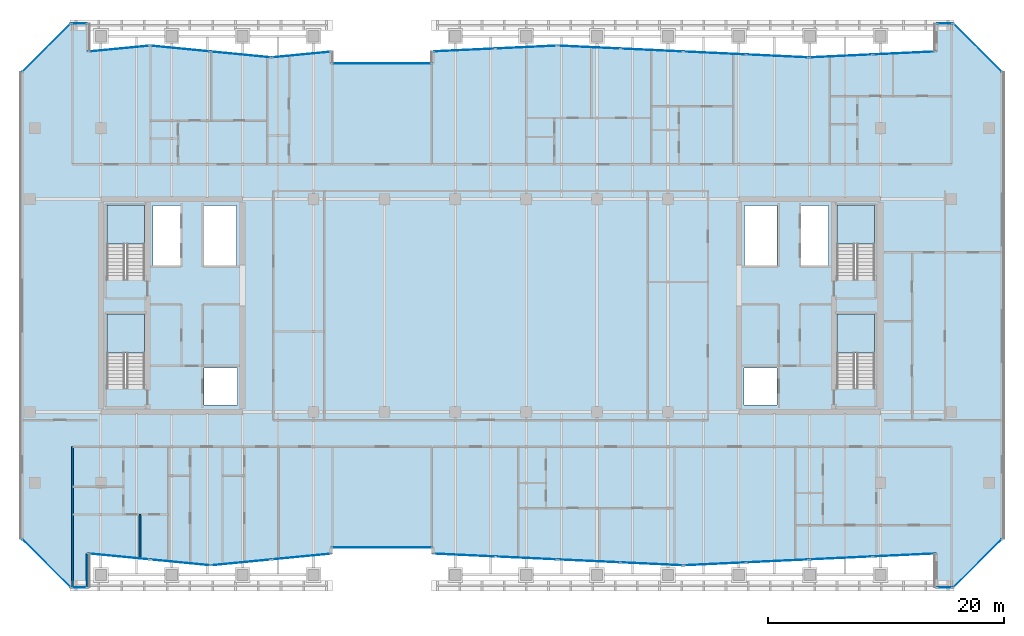
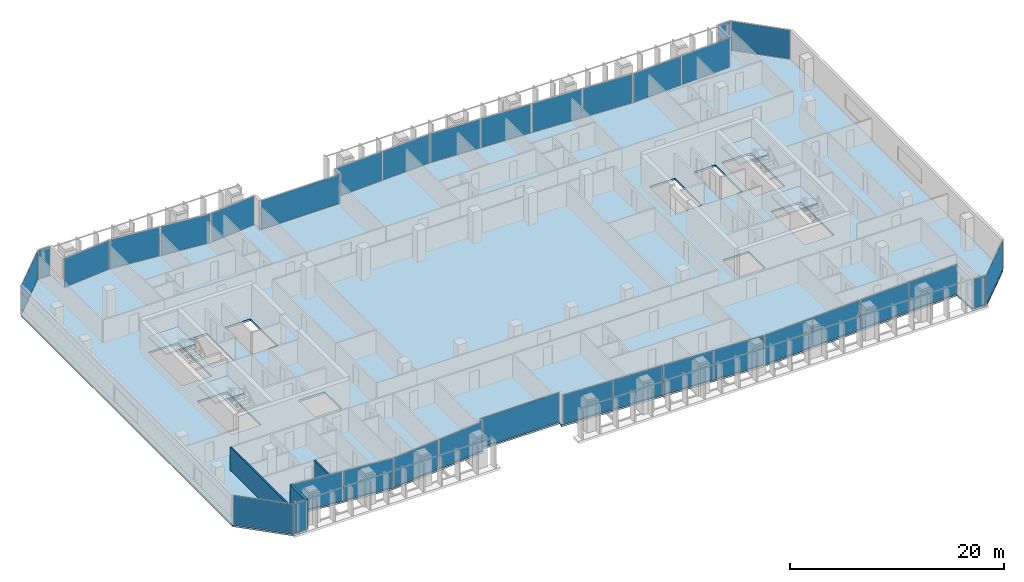
# One storey, part 26 of 39: 34 plates, 5 slabs, 3 walls, 30 elements without a shape of their own.
"""IFC4 building model written with IfcOpenShell, lengths in metres."""

from ifc_helpers import new_model, si_unit, direction, frame, frame_2d, origin, origin_2d, place, context, subcontext, project, spatial, polyline, rectangle, outline, extrude, material, layer, layer_set, type_object, element, aggregate, save


model = new_model("IFC4")

# Units and contexts
model_context = context("Model", 3, precision=1e-05, world=origin(), true_north=direction((0.0, 1.0)))
body_context = subcontext(model_context, "Body", "Model", "MODEL_VIEW")
ifc_project = project(units=[si_unit("LENGTHUNIT", "METRE"), si_unit("AREAUNIT", "SQUARE_METRE"), si_unit("VOLUMEUNIT", "CUBIC_METRE"), si_unit("PLANEANGLEUNIT", "RADIAN"), si_unit("MASSUNIT", "GRAM", prefix="KILO")], contexts=[model_context])

# Site, building, storey
site_placement = place(None, origin())
site = spatial("IfcSite", under=ifc_project, at=site_placement, CompositionType="ELEMENT")
building_placement = place(site_placement, origin())
building = spatial("IfcBuilding", under=site, at=building_placement, Name="Tanjung Sevakor Pilgrim Tower", CompositionType="ELEMENT")
storey_placement = place(building_placement, frame((0.0, 0.0, 112.199951171875)))
storey = spatial("IfcBuildingStorey", under=building, at=storey_placement, Name="L31", CompositionType="ELEMENT", Elevation=112.199951171875)

# Stair, slab
ifc_material_1 = material(Name="Concrete C40/50", Category="concrete")
stair_type = type_object("IfcStairType", Name="STAIR-ST-CR150", PredefinedType="HALF_TURN_STAIR", material=ifc_material_1)
stair_1_placement = place(storey_placement, origin())
stair_1 = element("IfcStair", 1, at=stair_1_placement, inside=storey, type_object=stair_type, Name="L31 West Core Exit Stair 1", PredefinedType="HALF_TURN_STAIR")
ifc_material_2 = material(Name="Concrete C40/50", Category="concrete")
ifc_layer_1 = layer(ifc_material_2, 0.199951171875)
ifc_layer_set_1 = layer_set([ifc_layer_1], Name="SL-LAND-200")
slab_type_1 = type_object("IfcSlabType", Name="SL-LAND-200", PredefinedType="LANDING", material=ifc_layer_set_1)
slab_1_placement = place(storey_placement, frame((0.0, 0.0, 1.614990234375)))
slab_1 = element("IfcSlab", 2, at=slab_1_placement, type_object=slab_type_1, Name="TS-W1 landing 1", PredefinedType="LANDING", context=body_context, shape_type="SweptSolid", body=[
    extrude(outline(polyline([(27.699951171875, 29.60009765625), (27.699951171875, 32.89990234375), (24.5, 32.89990234375), (24.5, 29.60009765625), (27.699951171875, 29.60009765625)])), origin(), (0.0, 0.0, 1.0), 0.199951171875),
])
aggregate(stair_1, [slab_1])

stair_2_placement = place(storey_placement, origin())
stair_2 = element("IfcStair", 3, at=stair_2_placement, inside=storey, type_object=stair_type, Name="L31 West Core Exit Stair 2", PredefinedType="HALF_TURN_STAIR")
slab_2_placement = place(storey_placement, frame((0.0, 0.0, 1.614990234375)))
slab_2 = element("IfcSlab", 4, at=slab_2_placement, type_object=slab_type_1, Name="TS-W2 landing 1", PredefinedType="LANDING", context=body_context, shape_type="SweptSolid", body=[
    extrude(outline(polyline([(27.699951171875, 38.800048828125), (27.699951171875, 42.10009765625), (24.5, 42.10009765625), (24.5, 38.800048828125), (27.699951171875, 38.800048828125)])), origin(), (0.0, 0.0, 1.0), 0.199951171875),
])
aggregate(stair_2, [slab_2])

stair_3_placement = place(storey_placement, origin())
stair_3 = element("IfcStair", 5, at=stair_3_placement, inside=storey, type_object=stair_type, Name="L31 East Core Exit Stair 1", PredefinedType="HALF_TURN_STAIR")
slab_3_placement = place(storey_placement, frame((0.0, 0.0, 1.614990234375)))
slab_3 = element("IfcSlab", 6, at=slab_3_placement, type_object=slab_type_1, Name="TS-E1 landing 1", PredefinedType="LANDING", context=body_context, shape_type="SweptSolid", body=[
    extrude(outline(polyline([(89.5, 29.60009765625), (89.5, 32.89990234375), (86.300048828125, 32.89990234375), (86.300048828125, 29.60009765625), (89.5, 29.60009765625)])), origin(), (0.0, 0.0, 1.0), 0.199951171875),
])
aggregate(stair_3, [slab_3])

stair_4_placement = place(storey_placement, origin())
stair_4 = element("IfcStair", 7, at=stair_4_placement, inside=storey, type_object=stair_type, Name="L31 East Core Exit Stair 2", PredefinedType="HALF_TURN_STAIR")
slab_4_placement = place(storey_placement, frame((0.0, 0.0, 1.614990234375)))
slab_4 = element("IfcSlab", 8, at=slab_4_placement, type_object=slab_type_1, Name="TS-E2 landing 1", PredefinedType="LANDING", context=body_context, shape_type="SweptSolid", body=[
    extrude(outline(polyline([(89.5, 38.800048828125), (89.5, 42.10009765625), (86.300048828125, 42.10009765625), (86.300048828125, 38.800048828125), (89.5, 38.800048828125)])), origin(), (0.0, 0.0, 1.0), 0.199951171875),
])
aggregate(stair_4, [slab_4])

# Slab
ifc_material_3 = material(Name="Concrete C40/50", Category="concrete")
ifc_layer_2 = layer(ifc_material_3, 0.219970703125)
ifc_layer_set_2 = layer_set([ifc_layer_2], Name="SL-TWR-220")
slab_type_2 = type_object("IfcSlabType", Name="SL-TWR-220", PredefinedType="FLOOR", material=ifc_layer_set_2)
slab_5_placement = place(storey_placement, frame((0.0, 0.0, -0.219970703125)))
element("IfcSlab", 9, at=slab_5_placement, inside=storey, type_object=slab_type_2, Name="L31 Floor Slab MAIN", PredefinedType="FLOOR", context=body_context, shape_type="SweptSolid", body=[
    extrude(outline(polyline([(21.447021484375, 9.679931640625), (22.919921875, 9.679931640625), (23.0, 12.56005859375), (28.14990234375, 12.06005859375), (33.300048828125, 11.56005859375), (38.449951171875, 12.06005859375), (43.60009765625, 12.56005859375), (43.52001953125, 13.080078125), (52.080078125, 13.080078125), (52.0, 12.56005859375), (62.64990234375, 12.06005859375), (73.300048828125, 11.56005859375), (83.949951171875, 12.06005859375), (94.60009765625, 12.56005859375), (94.679931640625, 9.679931640625), (96.153076171875, 9.679931640625), (100.320068359375, 13.846923828125), (100.320068359375, 53.35302734375), (96.153076171875, 57.52001953125), (94.679931640625, 57.52001953125), (94.60009765625, 55.139892578125), (83.949951171875, 54.639892578125), (73.300048828125, 55.139892578125), (62.64990234375, 55.639892578125), (52.0, 55.139892578125), (52.080078125, 54.1201171875), (43.52001953125, 54.1201171875), (43.60009765625, 55.139892578125), (38.449951171875, 54.639892578125), (33.300048828125, 55.139892578125), (28.14990234375, 55.639892578125), (23.0, 55.139892578125), (22.919921875, 57.52001953125), (21.447021484375, 57.52001953125), (17.280029296875, 53.35302734375), (17.280029296875, 13.846923828125), (21.447021484375, 9.679931640625)]), holes=[polyline([(27.699951171875, 26.60009765625), (27.699951171875, 32.89990234375), (24.5, 32.89990234375), (24.5, 26.60009765625), (27.699951171875, 26.60009765625)]), polyline([(27.699951171875, 35.800048828125), (27.699951171875, 42.10009765625), (24.5, 42.10009765625), (24.5, 35.800048828125), (27.699951171875, 35.800048828125)]), polyline([(89.5, 26.60009765625), (89.5, 32.89990234375), (86.300048828125, 32.89990234375), (86.300048828125, 26.60009765625), (89.5, 26.60009765625)]), polyline([(89.5, 35.800048828125), (89.5, 42.10009765625), (86.300048828125, 42.10009765625), (86.300048828125, 35.800048828125), (89.5, 35.800048828125)]), polyline([(32.75, 25.199951171875), (35.550048828125, 25.199951171875), (35.550048828125, 28.300048828125), (32.75, 28.300048828125), (32.75, 25.199951171875)]), polyline([(28.39990234375, 37.0), (30.75, 37.0), (30.75, 42.050048828125), (28.39990234375, 42.050048828125), (28.39990234375, 37.0)]), polyline([(32.75, 37.0), (35.5, 37.0), (35.5, 42.050048828125), (32.75, 42.050048828125), (32.75, 37.0)]), polyline([(78.449951171875, 25.199951171875), (81.25, 25.199951171875), (81.25, 28.300048828125), (78.449951171875, 28.300048828125), (78.449951171875, 25.199951171875)]), polyline([(83.25, 37.0), (85.60009765625, 37.0), (85.60009765625, 42.050048828125), (83.25, 42.050048828125), (83.25, 37.0)]), polyline([(78.5, 37.0), (81.25, 37.0), (81.25, 42.050048828125), (78.5, 42.050048828125), (78.5, 37.0)])]), origin(), (0.0, 0.0, 1.0), 0.219970703125),
])

# Curtain wall, plate
ifc_material_4 = material(Name="Aluminium 6063-T6 and Low-E Glass", Category="aluminium")
ifc_layer_3 = layer(ifc_material_4, 0.179931640625)
ifc_layer_set_3 = layer_set([ifc_layer_3], Name="CW-SYS-CLEFT")
curtain_wall_type_1 = type_object("IfcCurtainWallType", Name="CW-SYS-CLEFT", PredefinedType="NOTDEFINED", material=ifc_layer_set_3)
curtain_wall_1_placement = place(storey_placement, origin())
curtain_wall_1 = element("IfcCurtainWall", 10, at=curtain_wall_1_placement, inside=storey, type_object=curtain_wall_type_1, Name="L31 Curtain Wall CW-CLF-L31-7", PredefinedType="NOTDEFINED")
ifc_material_5 = material(Name="Laminated Low-E Double Glazing", Category="glass")
ifc_layer_4 = layer(ifc_material_5, 0.028076171875)
ifc_layer_set_4 = layer_set([ifc_layer_4], Name="TYPE-CWP-GLZ1")
plate_type_1 = type_object("IfcPlateType", Name="TYPE-CWP-GLZ1", PredefinedType="CURTAIN_PANEL", material=ifc_layer_set_4)
plate_1_placement = place(storey_placement, frame((47.800048828125, 13.125, 0.06494140625), z_axis=(0.0, 0.0, 1.0), x_axis=(1.0, 0.0, 0.0)))
plate_1 = element("IfcPlate", 11, at=plate_1_placement, type_object=plate_type_1, Name="CW-CLF panel 1.1", PredefinedType="CURTAIN_PANEL", context=body_context, shape_type="SweptSolid", body=[
    extrude(rectangle(XDim=8.5, YDim=0.028076171875, at=origin_2d()), origin(), (0.0, 0.0, 1.0), 3.280029296875),
])
aggregate(curtain_wall_1, [plate_1])

ifc_material_6 = material(Name="Aluminium 6063-T6 and Low-E Glass", Category="aluminium")
ifc_layer_5 = layer(ifc_material_6, 0.179931640625)
ifc_layer_set_5 = layer_set([ifc_layer_5], Name="CW-SYS-CHAM")
curtain_wall_type_2 = type_object("IfcCurtainWallType", Name="CW-SYS-CHAM", PredefinedType="NOTDEFINED", material=ifc_layer_set_5)
curtain_wall_2_placement = place(storey_placement, origin())
curtain_wall_2 = element("IfcCurtainWall", 12, at=curtain_wall_2_placement, inside=storey, type_object=curtain_wall_type_2, Name="L31 Curtain Wall CW-CHM-L31-MAIN-15", PredefinedType="NOTDEFINED")
plate_2_placement = place(storey_placement, frame((98.211669921875, 11.788330078125, 0.06494140625), z_axis=(0.0, 0.0, 1.0), x_axis=(0.707106781187, 0.707106781187, 0.0)))
plate_2 = element("IfcPlate", 13, at=plate_2_placement, type_object=plate_type_1, Name="CW-CHM panel 1.1", PredefinedType="CURTAIN_PANEL", context=body_context, shape_type="SweptSolid", body=[
    extrude(rectangle(XDim=5.7060546875, YDim=0.028076171875, at=origin_2d()), origin(), (0.0, 0.0, 1.0), 3.280029296875),
])
aggregate(curtain_wall_2, [plate_2])

curtain_wall_3_placement = place(storey_placement, origin())
curtain_wall_3 = element("IfcCurtainWall", 14, at=curtain_wall_3_placement, inside=storey, type_object=curtain_wall_type_2, Name="L31 Curtain Wall CW-CHM-L31-MAIN-17", PredefinedType="NOTDEFINED")
plate_3_placement = place(storey_placement, frame((98.211669921875, 55.41162109375, 0.06494140625), z_axis=(0.0, 0.0, 1.0), x_axis=(-0.707106781187, 0.707106781187, 0.0)))
plate_3 = element("IfcPlate", 15, at=plate_3_placement, type_object=plate_type_1, Name="CW-CHM panel 1.1", PredefinedType="CURTAIN_PANEL", context=body_context, shape_type="SweptSolid", body=[
    extrude(rectangle(XDim=5.7060546875, YDim=0.028076171875, at=origin_2d()), origin(), (0.0, 0.0, 1.0), 3.280029296875),
])
aggregate(curtain_wall_3, [plate_3])

curtain_wall_4_placement = place(storey_placement, origin())
curtain_wall_4 = element("IfcCurtainWall", 16, at=curtain_wall_4_placement, inside=storey, type_object=curtain_wall_type_1, Name="L31 Curtain Wall CW-CLF-L31-25", PredefinedType="NOTDEFINED")
plate_4_placement = place(storey_placement, frame((47.800048828125, 54.074951171875, 0.06494140625), z_axis=(0.0, 0.0, 1.0), x_axis=(-1.0, 0.0, 0.0)))
plate_4 = element("IfcPlate", 17, at=plate_4_placement, type_object=plate_type_1, Name="CW-CLF panel 1.1", PredefinedType="CURTAIN_PANEL", context=body_context, shape_type="SweptSolid", body=[
    extrude(rectangle(XDim=8.5, YDim=0.028076171875, at=origin_2d()), origin(), (0.0, 0.0, 1.0), 3.280029296875),
])
aggregate(curtain_wall_4, [plate_4])

curtain_wall_5_placement = place(storey_placement, origin())
curtain_wall_5 = element("IfcCurtainWall", 18, at=curtain_wall_5_placement, inside=storey, type_object=curtain_wall_type_2, Name="L31 Curtain Wall CW-CHM-L31-MAIN-33", PredefinedType="NOTDEFINED")
plate_5_placement = place(storey_placement, frame((19.388427734375, 55.41162109375, 0.06494140625), z_axis=(0.0, 0.0, 1.0), x_axis=(-0.707106781187, -0.707106781187, 0.0)))
plate_5 = element("IfcPlate", 19, at=plate_5_placement, type_object=plate_type_1, Name="CW-CHM panel 1.1", PredefinedType="CURTAIN_PANEL", context=body_context, shape_type="SweptSolid", body=[
    extrude(rectangle(XDim=5.7060546875, YDim=0.028076171875, at=origin_2d()), origin(), (0.0, 0.0, 1.0), 3.280029296875),
])
aggregate(curtain_wall_5, [plate_5])

curtain_wall_6_placement = place(storey_placement, origin())
curtain_wall_6 = element("IfcCurtainWall", 20, at=curtain_wall_6_placement, inside=storey, type_object=curtain_wall_type_2, Name="L31 Curtain Wall CW-CHM-L31-MAIN-35", PredefinedType="NOTDEFINED")
plate_6_placement = place(storey_placement, frame((19.388427734375, 11.788330078125, 0.06494140625), z_axis=(0.0, 0.0, 1.0), x_axis=(0.707106781187, -0.707106781187, 0.0)))
plate_6 = element("IfcPlate", 21, at=plate_6_placement, type_object=plate_type_1, Name="CW-CHM panel 1.1", PredefinedType="CURTAIN_PANEL", context=body_context, shape_type="SweptSolid", body=[
    extrude(rectangle(XDim=5.7060546875, YDim=0.028076171875, at=origin_2d()), origin(), (0.0, 0.0, 1.0), 3.280029296875),
])
aggregate(curtain_wall_6, [plate_6])

ifc_material_7 = material(Name="Aluminium 6063-T6 and Low-E Glass", Category="aluminium")
ifc_layer_6 = layer(ifc_material_7, 0.199951171875)
ifc_layer_set_6 = layer_set([ifc_layer_6], Name="CW-SYS-PRAY")
curtain_wall_type_3 = type_object("IfcCurtainWallType", Name="CW-SYS-PRAY", PredefinedType="NOTDEFINED", material=ifc_layer_set_6)
curtain_wall_7_placement = place(storey_placement, origin())
curtain_wall_7 = element("IfcCurtainWall", 22, at=curtain_wall_7_placement, inside=storey, type_object=curtain_wall_type_3, Name="L31 Curtain Wall CW-PRY-L31-0", PredefinedType="NOTDEFINED")
ifc_material_8 = material(Name="Solar-Control Low-E Acoustic Glazing", Category="glass")
ifc_layer_7 = layer(ifc_material_8, 0.031982421875)
ifc_layer_set_7 = layer_set([ifc_layer_7], Name="TYPE-CWP-GLZ2")
plate_type_2 = type_object("IfcPlateType", Name="TYPE-CWP-GLZ2", PredefinedType="CURTAIN_PANEL", material=ifc_layer_set_7)
plate_7_placement = place(storey_placement, frame((22.163330078125, 9.72509765625, 0.0751953125), z_axis=(0.0, 0.0, 1.0), x_axis=(1.0, 0.0, 0.0)))
plate_7 = element("IfcPlate", 23, at=plate_7_placement, type_object=plate_type_2, Name="CW-PRY panel 1.1", PredefinedType="CURTAIN_PANEL", context=body_context, shape_type="SweptSolid", body=[
    extrude(rectangle(XDim=1.273193359375, YDim=0.031982421875, at=origin_2d()), origin(), (0.0, 0.0, 1.0), 3.260009765625),
])
aggregate(curtain_wall_7, [plate_7])

curtain_wall_8_placement = place(storey_placement, origin())
curtain_wall_8 = element("IfcCurtainWall", 24, at=curtain_wall_8_placement, inside=storey, type_object=curtain_wall_type_3, Name="L31 Curtain Wall CW-PRY-L31-2", PredefinedType="NOTDEFINED")
plate_8_placement = place(storey_placement, frame((25.5185546875, 12.361083984375, 0.0751953125), z_axis=(0.0, 0.0, 1.0), x_axis=(0.995320272513, -0.096631025687, 0.0)))
plate_8 = element("IfcPlate", 25, at=plate_8_placement, type_object=plate_type_2, Name="CW-PRY panel 1.1", PredefinedType="CURTAIN_PANEL", context=body_context, shape_type="SweptSolid", body=[
    extrude(rectangle(XDim=5.161865234375, YDim=0.031982421875, at=origin_2d()), origin(), (0.0, 0.0, 1.0), 3.260009765625),
])
aggregate(curtain_wall_8, [plate_8])

curtain_wall_9_placement = place(storey_placement, origin())
curtain_wall_9 = element("IfcCurtainWall", 26, at=curtain_wall_9_placement, inside=storey, type_object=curtain_wall_type_3, Name="L31 Curtain Wall CW-PRY-L31-3", PredefinedType="NOTDEFINED")
plate_9_placement = place(storey_placement, frame((30.73095703125, 11.85498046875, 0.0751953125), z_axis=(0.0, 0.0, 1.0), x_axis=(0.995320549462, -0.096628173007, 0.0)))
plate_9 = element("IfcPlate", 27, at=plate_9_placement, type_object=plate_type_2, Name="CW-PRY panel 1.1", PredefinedType="CURTAIN_PANEL", context=body_context, shape_type="SweptSolid", body=[
    extrude(rectangle(XDim=5.011962890625, YDim=0.031982421875, at=origin_2d()), origin(), (0.0, 0.0, 1.0), 3.260009765625),
])
aggregate(curtain_wall_9, [plate_9])

curtain_wall_10_placement = place(storey_placement, origin())
curtain_wall_10 = element("IfcCurtainWall", 28, at=curtain_wall_10_placement, inside=storey, type_object=curtain_wall_type_3, Name="L31 Curtain Wall CW-PRY-L31-4", PredefinedType="NOTDEFINED")
plate_10_placement = place(storey_placement, frame((35.868896484375, 11.85498046875, 0.0751953125), z_axis=(0.0, 0.0, 1.0), x_axis=(0.995320549462, 0.096628173007, 0.0)))
plate_10 = element("IfcPlate", 29, at=plate_10_placement, type_object=plate_type_2, Name="CW-PRY panel 1.1", PredefinedType="CURTAIN_PANEL", context=body_context, shape_type="SweptSolid", body=[
    extrude(rectangle(XDim=5.011962890625, YDim=0.031982421875, at=origin_2d()), origin(), (0.0, 0.0, 1.0), 3.260009765625),
])
aggregate(curtain_wall_10, [plate_10])

curtain_wall_11_placement = place(storey_placement, origin())
curtain_wall_11 = element("IfcCurtainWall", 30, at=curtain_wall_11_placement, inside=storey, type_object=curtain_wall_type_3, Name="L31 Curtain Wall CW-PRY-L31-5", PredefinedType="NOTDEFINED")
plate_11_placement = place(storey_placement, frame((40.95654296875, 12.348876953125, 0.0751953125), z_axis=(0.0, 0.0, 1.0), x_axis=(0.995318916625, 0.096644990598, 0.0)))
plate_11 = element("IfcPlate", 31, at=plate_11_placement, type_object=plate_type_2, Name="CW-PRY panel 1.1", PredefinedType="CURTAIN_PANEL", context=body_context, shape_type="SweptSolid", body=[
    extrude(rectangle(XDim=4.910888671875, YDim=0.031982421875, at=origin_2d()), origin(), (0.0, 0.0, 1.0), 3.260009765625),
])
aggregate(curtain_wall_11, [plate_11])

# Curtain wall, plates
curtain_wall_12_placement = place(storey_placement, origin())
curtain_wall_12 = element("IfcCurtainWall", 32, at=curtain_wall_12_placement, inside=storey, type_object=curtain_wall_type_3, Name="L31 Curtain Wall CW-PRY-L31-9", PredefinedType="NOTDEFINED")
plate_12_placement = place(storey_placement, frame((54.7763671875, 12.474853515625, 0.0751953125), z_axis=(0.0, 0.0, 1.0), x_axis=(0.998899781957, -0.046895901799, 0.0)))
plate_12 = element("IfcPlate", 33, at=plate_12_placement, type_object=plate_type_2, Name="CW-PRY panel 1.1", PredefinedType="CURTAIN_PANEL", context=body_context, shape_type="SweptSolid", body=[
    extrude(rectangle(XDim=5.15869140625, YDim=0.031982421875, at=origin_2d()), origin(), (0.0, 0.0, 1.0), 3.260009765625),
])
plate_13_placement = place(storey_placement, frame((60.00439453125, 12.2294921875, 0.0751953125), z_axis=(0.0, 0.0, 1.0), x_axis=(0.998899781957, -0.046895901799, 0.0)))
plate_13 = element("IfcPlate", 34, at=plate_13_placement, type_object=plate_type_2, Name="CW-PRY panel 2.1", PredefinedType="CURTAIN_PANEL", context=body_context, shape_type="SweptSolid", body=[
    extrude(rectangle(XDim=5.15869140625, YDim=0.031982421875, at=origin_2d()), origin(), (0.0, 0.0, 1.0), 3.260009765625),
])
aggregate(curtain_wall_12, [plate_12, plate_13])

curtain_wall_13_placement = place(storey_placement, origin())
curtain_wall_13 = element("IfcCurtainWall", 35, at=curtain_wall_13_placement, inside=storey, type_object=curtain_wall_type_3, Name="L31 Curtain Wall CW-PRY-L31-10", PredefinedType="NOTDEFINED")
plate_14_placement = place(storey_placement, frame((65.335693359375, 11.97900390625, 0.0751953125), z_axis=(0.0, 0.0, 1.0), x_axis=(0.998899405896, -0.046903911367, 0.0)))
plate_14 = element("IfcPlate", 36, at=plate_14_placement, type_object=plate_type_2, Name="CW-PRY panel 1.1", PredefinedType="CURTAIN_PANEL", context=body_context, shape_type="SweptSolid", body=[
    extrude(rectangle(XDim=5.21533203125, YDim=0.031982421875, at=origin_2d()), origin(), (0.0, 0.0, 1.0), 3.260009765625),
])
plate_15_placement = place(storey_placement, frame((70.620361328125, 11.73095703125, 0.0751953125), z_axis=(0.0, 0.0, 1.0), x_axis=(0.998899405896, -0.046903911367, 0.0)))
plate_15 = element("IfcPlate", 37, at=plate_15_placement, type_object=plate_type_2, Name="CW-PRY panel 2.1", PredefinedType="CURTAIN_PANEL", context=body_context, shape_type="SweptSolid", body=[
    extrude(rectangle(XDim=5.21533203125, YDim=0.031982421875, at=origin_2d()), origin(), (0.0, 0.0, 1.0), 3.260009765625),
])
aggregate(curtain_wall_13, [plate_14, plate_15])

curtain_wall_14_placement = place(storey_placement, origin())
curtain_wall_14 = element("IfcCurtainWall", 38, at=curtain_wall_14_placement, inside=storey, type_object=curtain_wall_type_3, Name="L31 Curtain Wall CW-PRY-L31-11", PredefinedType="NOTDEFINED")
plate_16_placement = place(storey_placement, frame((75.979736328125, 11.73095703125, 0.0751953125), z_axis=(0.0, 0.0, 1.0), x_axis=(0.998899405896, 0.046903911367, 0.0)))
plate_16 = element("IfcPlate", 39, at=plate_16_placement, type_object=plate_type_2, Name="CW-PRY panel 1.1", PredefinedType="CURTAIN_PANEL", context=body_context, shape_type="SweptSolid", body=[
    extrude(rectangle(XDim=5.21533203125, YDim=0.031982421875, at=origin_2d()), origin(), (0.0, 0.0, 1.0), 3.260009765625),
])
plate_17_placement = place(storey_placement, frame((81.264404296875, 11.97900390625, 0.0751953125), z_axis=(0.0, 0.0, 1.0), x_axis=(0.998899405896, 0.046903911367, 0.0)))
plate_17 = element("IfcPlate", 40, at=plate_17_placement, type_object=plate_type_2, Name="CW-PRY panel 2.1", PredefinedType="CURTAIN_PANEL", context=body_context, shape_type="SweptSolid", body=[
    extrude(rectangle(XDim=5.21533203125, YDim=0.031982421875, at=origin_2d()), origin(), (0.0, 0.0, 1.0), 3.260009765625),
])
aggregate(curtain_wall_14, [plate_16, plate_17])

curtain_wall_15_placement = place(storey_placement, origin())
curtain_wall_15 = element("IfcCurtainWall", 41, at=curtain_wall_15_placement, inside=storey, type_object=curtain_wall_type_3, Name="L31 Curtain Wall CW-PRY-L31-12", PredefinedType="NOTDEFINED")
plate_18_placement = place(storey_placement, frame((86.657958984375, 12.232421875, 0.0751953125), z_axis=(0.0, 0.0, 1.0), x_axis=(0.998899942061, 0.046892491411, 0.0)))
plate_18 = element("IfcPlate", 42, at=plate_18_placement, type_object=plate_type_2, Name="CW-PRY panel 1.1", PredefinedType="CURTAIN_PANEL", context=body_context, shape_type="SweptSolid", body=[
    extrude(rectangle(XDim=5.283935546875, YDim=0.031982421875, at=origin_2d()), origin(), (0.0, 0.0, 1.0), 3.260009765625),
])
plate_19_placement = place(storey_placement, frame((92.010986328125, 12.483642578125, 0.0751953125), z_axis=(0.0, 0.0, 1.0), x_axis=(0.998899942061, 0.046892491411, 0.0)))
plate_19 = element("IfcPlate", 43, at=plate_19_placement, type_object=plate_type_2, Name="CW-PRY panel 2.1", PredefinedType="CURTAIN_PANEL", context=body_context, shape_type="SweptSolid", body=[
    extrude(rectangle(XDim=5.283935546875, YDim=0.031982421875, at=origin_2d()), origin(), (0.0, 0.0, 1.0), 3.260009765625),
])
aggregate(curtain_wall_15, [plate_18, plate_19])

# Curtain wall, plate
curtain_wall_16_placement = place(storey_placement, origin())
curtain_wall_16 = element("IfcCurtainWall", 44, at=curtain_wall_16_placement, inside=storey, type_object=curtain_wall_type_3, Name="L31 Curtain Wall CW-PRY-L31-14", PredefinedType="NOTDEFINED")
plate_20_placement = place(storey_placement, frame((95.4365234375, 9.72509765625, 0.0751953125), z_axis=(0.0, 0.0, 1.0), x_axis=(1.0, 0.0, 0.0)))
plate_20 = element("IfcPlate", 45, at=plate_20_placement, type_object=plate_type_2, Name="CW-PRY panel 1.1", PredefinedType="CURTAIN_PANEL", context=body_context, shape_type="SweptSolid", body=[
    extrude(rectangle(XDim=1.273193359375, YDim=0.031982421875, at=origin_2d()), origin(), (0.0, 0.0, 1.0), 3.260009765625),
])
aggregate(curtain_wall_16, [plate_20])

curtain_wall_17_placement = place(storey_placement, origin())
curtain_wall_17 = element("IfcCurtainWall", 46, at=curtain_wall_17_placement, inside=storey, type_object=curtain_wall_type_3, Name="L31 Curtain Wall CW-PRY-L31-18", PredefinedType="NOTDEFINED")
plate_21_placement = place(storey_placement, frame((95.4365234375, 57.47509765625, 0.0751953125), z_axis=(0.0, 0.0, 1.0), x_axis=(-1.0, 0.0, 0.0)))
plate_21 = element("IfcPlate", 47, at=plate_21_placement, type_object=plate_type_2, Name="CW-PRY panel 1.1", PredefinedType="CURTAIN_PANEL", context=body_context, shape_type="SweptSolid", body=[
    extrude(rectangle(XDim=1.273193359375, YDim=0.031982421875, at=origin_2d()), origin(), (0.0, 0.0, 1.0), 3.260009765625),
])
aggregate(curtain_wall_17, [plate_21])

# Curtain wall, plates
curtain_wall_18_placement = place(storey_placement, origin())
curtain_wall_18 = element("IfcCurtainWall", 48, at=curtain_wall_18_placement, inside=storey, type_object=curtain_wall_type_3, Name="L31 Curtain Wall CW-PRY-L31-20", PredefinedType="NOTDEFINED")
plate_22_placement = place(storey_placement, frame((92.012451171875, 54.973388671875, 0.0751953125), z_axis=(0.0, 0.0, 1.0), x_axis=(-0.998900042062, -0.046890361139, 0.0)))
plate_22 = element("IfcPlate", 49, at=plate_22_placement, type_object=plate_type_2, Name="CW-PRY panel 1.1", PredefinedType="CURTAIN_PANEL", context=body_context, shape_type="SweptSolid", body=[
    extrude(rectangle(XDim=5.281005859375, YDim=0.031982421875, at=origin_2d()), origin(), (0.0, 0.0, 1.0), 3.260009765625),
])
plate_23_placement = place(storey_placement, frame((86.66259765625, 54.72216796875, 0.0751953125), z_axis=(0.0, 0.0, 1.0), x_axis=(-0.998900042062, -0.046890361139, 0.0)))
plate_23 = element("IfcPlate", 50, at=plate_23_placement, type_object=plate_type_2, Name="CW-PRY panel 2.1", PredefinedType="CURTAIN_PANEL", context=body_context, shape_type="SweptSolid", body=[
    extrude(rectangle(XDim=5.281005859375, YDim=0.031982421875, at=origin_2d()), origin(), (0.0, 0.0, 1.0), 3.260009765625),
])
aggregate(curtain_wall_18, [plate_22, plate_23])

curtain_wall_19_placement = place(storey_placement, origin())
curtain_wall_19 = element("IfcCurtainWall", 51, at=curtain_wall_19_placement, inside=storey, type_object=curtain_wall_type_3, Name="L31 Curtain Wall CW-PRY-L31-21", PredefinedType="NOTDEFINED")
plate_24_placement = place(storey_placement, frame((81.267333984375, 54.720947265625, 0.0751953125), z_axis=(0.0, 0.0, 1.0), x_axis=(-0.998900082494, 0.046889499825, 0.0)))
plate_24 = element("IfcPlate", 52, at=plate_24_placement, type_object=plate_type_2, Name="CW-PRY panel 1.1", PredefinedType="CURTAIN_PANEL", context=body_context, shape_type="SweptSolid", body=[
    extrude(rectangle(XDim=5.221435546875, YDim=0.031982421875, at=origin_2d()), origin(), (0.0, 0.0, 1.0), 3.260009765625),
])
plate_25_placement = place(storey_placement, frame((75.976806640625, 54.96923828125, 0.0751953125), z_axis=(0.0, 0.0, 1.0), x_axis=(-0.998900082494, 0.046889499825, 0.0)))
plate_25 = element("IfcPlate", 53, at=plate_25_placement, type_object=plate_type_2, Name="CW-PRY panel 2.1", PredefinedType="CURTAIN_PANEL", context=body_context, shape_type="SweptSolid", body=[
    extrude(rectangle(XDim=5.221435546875, YDim=0.031982421875, at=origin_2d()), origin(), (0.0, 0.0, 1.0), 3.260009765625),
])
aggregate(curtain_wall_19, [plate_24, plate_25])

curtain_wall_20_placement = place(storey_placement, origin())
curtain_wall_20 = element("IfcCurtainWall", 54, at=curtain_wall_20_placement, inside=storey, type_object=curtain_wall_type_3, Name="L31 Curtain Wall CW-PRY-L31-22", PredefinedType="NOTDEFINED")
plate_26_placement = place(storey_placement, frame((70.6142578125, 55.220947265625, 0.0751953125), z_axis=(0.0, 0.0, 1.0), x_axis=(-0.998899405896, 0.046903911367, 0.0)))
plate_26 = element("IfcPlate", 55, at=plate_26_placement, type_object=plate_type_2, Name="CW-PRY panel 1.1", PredefinedType="CURTAIN_PANEL", context=body_context, shape_type="SweptSolid", body=[
    extrude(rectangle(XDim=5.21533203125, YDim=0.031982421875, at=origin_2d()), origin(), (0.0, 0.0, 1.0), 3.260009765625),
])
plate_27_placement = place(storey_placement, frame((65.329833984375, 55.468994140625, 0.0751953125), z_axis=(0.0, 0.0, 1.0), x_axis=(-0.998899405896, 0.046903911367, 0.0)))
plate_27 = element("IfcPlate", 56, at=plate_27_placement, type_object=plate_type_2, Name="CW-PRY panel 2.1", PredefinedType="CURTAIN_PANEL", context=body_context, shape_type="SweptSolid", body=[
    extrude(rectangle(XDim=5.21533203125, YDim=0.031982421875, at=origin_2d()), origin(), (0.0, 0.0, 1.0), 3.260009765625),
])
aggregate(curtain_wall_20, [plate_26, plate_27])

curtain_wall_21_placement = place(storey_placement, origin())
curtain_wall_21 = element("IfcCurtainWall", 57, at=curtain_wall_21_placement, inside=storey, type_object=curtain_wall_type_3, Name="L31 Curtain Wall CW-PRY-L31-23", PredefinedType="NOTDEFINED")
plate_28_placement = place(storey_placement, frame((60.0, 55.470458984375, 0.0751953125), z_axis=(0.0, 0.0, 1.0), x_axis=(-0.998899439641, -0.046903192699, 0.0)))
plate_28 = element("IfcPlate", 58, at=plate_28_placement, type_object=plate_type_2, Name="CW-PRY panel 1.1", PredefinedType="CURTAIN_PANEL", context=body_context, shape_type="SweptSolid", body=[
    extrude(rectangle(XDim=5.15576171875, YDim=0.031982421875, at=origin_2d()), origin(), (0.0, 0.0, 1.0), 3.260009765625),
])
plate_29_placement = place(storey_placement, frame((54.77490234375, 55.22509765625, 0.0751953125), z_axis=(0.0, 0.0, 1.0), x_axis=(-0.998899439641, -0.046903192699, 0.0)))
plate_29 = element("IfcPlate", 59, at=plate_29_placement, type_object=plate_type_2, Name="CW-PRY panel 2.1", PredefinedType="CURTAIN_PANEL", context=body_context, shape_type="SweptSolid", body=[
    extrude(rectangle(XDim=5.15576171875, YDim=0.031982421875, at=origin_2d()), origin(), (0.0, 0.0, 1.0), 3.260009765625),
])
aggregate(curtain_wall_21, [plate_28, plate_29])

# Curtain wall, plate
curtain_wall_22_placement = place(storey_placement, origin())
curtain_wall_22 = element("IfcCurtainWall", 60, at=curtain_wall_22_placement, inside=storey, type_object=curtain_wall_type_3, Name="L31 Curtain Wall CW-PRY-L31-27", PredefinedType="NOTDEFINED")
plate_30_placement = place(storey_placement, frame((40.96240234375, 54.83837890625, 0.0751953125), z_axis=(0.0, 0.0, 1.0), x_axis=(-0.99531939477, -0.096640066202, 0.0)))
plate_30 = element("IfcPlate", 61, at=plate_30_placement, type_object=plate_type_2, Name="CW-PRY panel 1.1", PredefinedType="CURTAIN_PANEL", context=body_context, shape_type="SweptSolid", body=[
    extrude(rectangle(XDim=4.898681640625, YDim=0.031982421875, at=origin_2d()), origin(), (0.0, 0.0, 1.0), 3.260009765625),
])
aggregate(curtain_wall_22, [plate_30])

curtain_wall_23_placement = place(storey_placement, origin())
curtain_wall_23 = element("IfcCurtainWall", 62, at=curtain_wall_23_placement, inside=storey, type_object=curtain_wall_type_3, Name="L31 Curtain Wall CW-PRY-L31-28", PredefinedType="NOTDEFINED")
plate_31_placement = place(storey_placement, frame((35.868896484375, 54.844970703125, 0.0751953125), z_axis=(0.0, 0.0, 1.0), x_axis=(-0.99531961101, 0.096637839059, 0.0)))
plate_31 = element("IfcPlate", 63, at=plate_31_placement, type_object=plate_type_2, Name="CW-PRY panel 1.1", PredefinedType="CURTAIN_PANEL", context=body_context, shape_type="SweptSolid", body=[
    extrude(rectangle(XDim=5.036376953125, YDim=0.031982421875, at=origin_2d()), origin(), (0.0, 0.0, 1.0), 3.260009765625),
])
aggregate(curtain_wall_23, [plate_31])

curtain_wall_24_placement = place(storey_placement, origin())
curtain_wall_24 = element("IfcCurtainWall", 64, at=curtain_wall_24_placement, inside=storey, type_object=curtain_wall_type_3, Name="L31 Curtain Wall CW-PRY-L31-29", PredefinedType="NOTDEFINED")
plate_32_placement = place(storey_placement, frame((30.718994140625, 55.344970703125, 0.0751953125), z_axis=(0.0, 0.0, 1.0), x_axis=(-0.995320549462, 0.096628173007, 0.0)))
plate_32 = element("IfcPlate", 65, at=plate_32_placement, type_object=plate_type_2, Name="CW-PRY panel 1.1", PredefinedType="CURTAIN_PANEL", context=body_context, shape_type="SweptSolid", body=[
    extrude(rectangle(XDim=5.011962890625, YDim=0.031982421875, at=origin_2d()), origin(), (0.0, 0.0, 1.0), 3.260009765625),
])
aggregate(curtain_wall_24, [plate_32])

curtain_wall_25_placement = place(storey_placement, origin())
curtain_wall_25 = element("IfcCurtainWall", 66, at=curtain_wall_25_placement, inside=storey, type_object=curtain_wall_type_3, Name="L31 Curtain Wall CW-PRY-L31-30", PredefinedType="NOTDEFINED")
plate_33_placement = place(storey_placement, frame((25.512451171875, 55.33837890625, 0.0751953125), z_axis=(0.0, 0.0, 1.0), x_axis=(-0.995320731042, -0.096626302622, 0.0)))
plate_33 = element("IfcPlate", 67, at=plate_33_placement, type_object=plate_type_2, Name="CW-PRY panel 1.1", PredefinedType="CURTAIN_PANEL", context=body_context, shape_type="SweptSolid", body=[
    extrude(rectangle(XDim=5.14990234375, YDim=0.031982421875, at=origin_2d()), origin(), (0.0, 0.0, 1.0), 3.260009765625),
])
aggregate(curtain_wall_25, [plate_33])

curtain_wall_26_placement = place(storey_placement, origin())
curtain_wall_26 = element("IfcCurtainWall", 68, at=curtain_wall_26_placement, inside=storey, type_object=curtain_wall_type_3, Name="L31 Curtain Wall CW-PRY-L31-32", PredefinedType="NOTDEFINED")
plate_34_placement = place(storey_placement, frame((22.163330078125, 57.47509765625, 0.0751953125), z_axis=(0.0, 0.0, 1.0), x_axis=(-1.0, 0.0, 0.0)))
plate_34 = element("IfcPlate", 69, at=plate_34_placement, type_object=plate_type_2, Name="CW-PRY panel 1.1", PredefinedType="CURTAIN_PANEL", context=body_context, shape_type="SweptSolid", body=[
    extrude(rectangle(XDim=1.273193359375, YDim=0.031982421875, at=origin_2d()), origin(), (0.0, 0.0, 1.0), 3.260009765625),
])
aggregate(curtain_wall_26, [plate_34])

# Walls
ifc_material_9 = material(Name="Concrete C40/50", Category="concrete")
ifc_layer_8 = layer(ifc_material_9, 0.14990234375)
ifc_layer_set_8 = layer_set([ifc_layer_8], Name="WT-COMP-150")
wall_type_1 = type_object("IfcWallType", Name="WT-COMP-150", PredefinedType="SOLIDWALL", material=ifc_layer_set_8)
wall_1_placement = place(storey_placement, frame((21.60009765625, 9.72509765625, 0.0), z_axis=(0.0, 0.0, 1.0), x_axis=(0.0, 1.0, 0.0)))
element("IfcWall", 70, at=wall_1_placement, inside=storey, type_object=wall_type_1, Name="L31 Partition IW-L31-048", PredefinedType="SOLIDWALL", context=body_context, shape_type="SweptSolid", body=[
    extrude(rectangle(XDim=11.9248046875, YDim=0.14990234375, at=frame_2d((5.96240234375, 0.0))), origin(), (0.0, 0.0, 1.0), 2.6298828125),
])
ifc_material_10 = material(Name="Precast concrete C45/55", Category="concrete")
ifc_layer_9 = layer(ifc_material_10, 0.25)
ifc_layer_set_9 = layer_set([ifc_layer_9], Name="WT-EW-STN3")
wall_type_2 = type_object("IfcWallType", Name="WT-EW-STN3", PredefinedType="SOLIDWALL", material=ifc_layer_set_9)
wall_2_placement = place(storey_placement, frame((22.875, 9.72509765625, 0.0), z_axis=(0.0, 0.0, 1.0), x_axis=(0.0, 1.0, 0.0)))
element("IfcWall", 71, at=wall_2_placement, inside=storey, type_object=wall_type_2, Name="L31 MAIN Exterior Wall 2", PredefinedType="SOLIDWALL", context=body_context, shape_type="SweptSolid", body=[
    extrude(rectangle(XDim=2.892578125, YDim=0.25, at=frame_2d((1.4462890625, 0.0))), origin(), (0.0, 0.0, 1.0), 3.409912109375),
])
ifc_material_11 = material(Name="Gypsum Board Partition", Category="gypsum board")
ifc_layer_10 = layer(ifc_material_11, 0.14990234375)
ifc_layer_set_10 = layer_set([ifc_layer_10], Name="WT-PART-150")
wall_type_3 = type_object("IfcWallType", Name="WT-PART-150", PredefinedType="PARTITIONING", material=ifc_layer_set_10)
wall_3_placement = place(storey_placement, frame((27.312744140625, 12.18701171875, 0.0), z_axis=(0.0, 0.0, 1.0), x_axis=(0.0, 1.0, 0.0)))
element("IfcWall", 72, at=wall_3_placement, inside=storey, type_object=wall_type_3, Name="L31 Partition IW-L31-052", PredefinedType="PARTITIONING", context=body_context, shape_type="SweptSolid", body=[
    extrude(rectangle(XDim=3.729736328125, YDim=0.14990234375, at=frame_2d((1.86474609375, 0.0))), origin(), (0.0, 0.0, 1.0), 2.6298828125),
])

save(model, "model.ifc")
